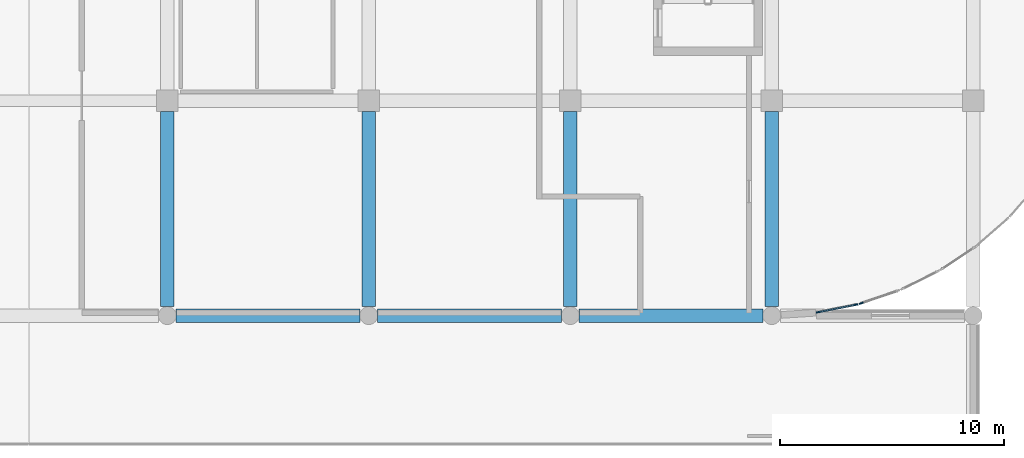
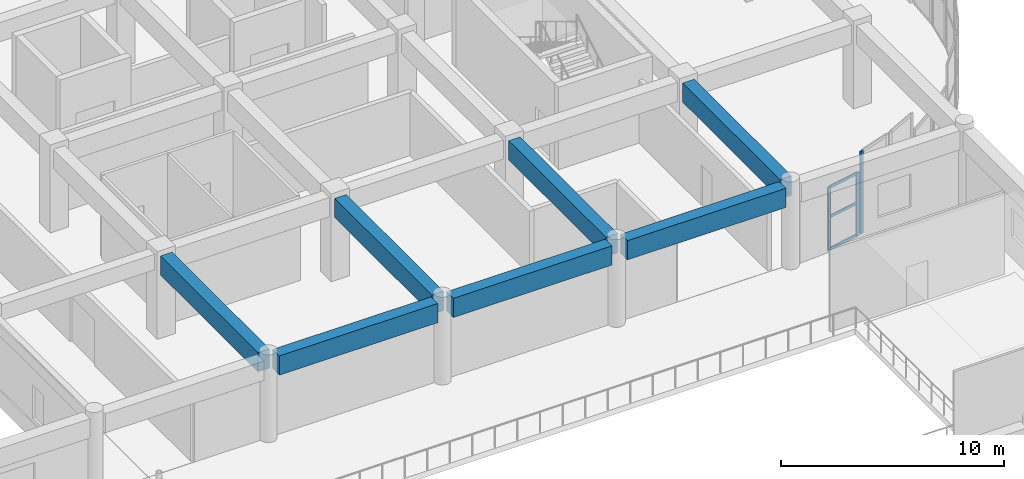
# One storey, part 36 of 86: 7 beams, 6 members, 2 elements without a shape of their own.
"""IFC4 building model written with IfcOpenShell, lengths in metres."""

from ifc_helpers import new_model, si_unit, direction, frame, origin, origin_2d, place, context, subcontext, project, spatial, rectangle, extrude, material, layer, layer_set, material_profile, profile_set, type_object, element, aggregate, save


model = new_model("IFC4")

# Units and contexts
model_context = context("Model", 3, precision=1e-05, world=origin(), true_north=direction((0.0, 1.0)))
body_context = subcontext(model_context, "Body", "Model", "MODEL_VIEW")
ifc_project = project(units=[si_unit("LENGTHUNIT", "METRE"), si_unit("AREAUNIT", "SQUARE_METRE"), si_unit("VOLUMEUNIT", "CUBIC_METRE"), si_unit("PLANEANGLEUNIT", "RADIAN"), si_unit("MASSUNIT", "GRAM", prefix="KILO")], contexts=[model_context])

# Site, building, storey
site_placement = place(None, origin())
site = spatial("IfcSite", under=ifc_project, at=site_placement, CompositionType="ELEMENT")
building_placement = place(site_placement, origin())
building = spatial("IfcBuilding", under=site, at=building_placement, Name="Cendralis Terraced Arcade", CompositionType="ELEMENT")
storey_placement = place(building_placement, frame((0.0, 0.0, 5.39990234375)))
storey = spatial("IfcBuildingStorey", under=building, at=storey_placement, Name="L01", CompositionType="ELEMENT", Elevation=5.39990234375)

# Beams
ifc_material_1 = material(Name="Concrete f'c 35 MPa", Category="concrete")
ifc_material_profile_1 = material_profile(ifc_material_1, rectangle(XDim=0.60009765625, YDim=1.050048828125, at=origin_2d()), Name="RC-BM-600x1050", Category="LoadBearing")
ifc_profile_set_1 = profile_set([ifc_material_profile_1], Name="Concrete f'c 35 MPa")
beam_type = type_object("IfcBeamType", Name="BM-600x1050", PredefinedType="JOIST", material=ifc_profile_set_1)
for number, where, z_axis, x_axis, name in (
    (1, (130.60009765625, 60.0, 3.97998046875), (1.0, 0.0, 0.0), (0.0, 1.0, 0.0), "Reinforced Concrete Frame Beam BM-X-L02-G-15_16"),
    (2, (139.60009765625, 60.0, 3.97998046875), (1.0, 0.0, 0.0), (0.0, 1.0, 0.0), "Reinforced Concrete Frame Beam BM-X-L02-G-16_17"),
    (3, (148.60009765625, 60.0, 3.97998046875), (1.0, 0.0, 0.0), (0.0, 1.0, 0.0), "Reinforced Concrete Frame Beam BM-X-L02-G-17_18"),
):
    element("IfcBeam", number, at=place(storey_placement, frame(where, z_axis=z_axis, x_axis=x_axis)), inside=storey, type_object=beam_type, Name=name, PredefinedType="JOIST", context=body_context, shape_type="SweptSolid", body=[
        extrude(rectangle(XDim=0.60009765625, YDim=1.050048828125, at=origin_2d()), origin(), (0.0, 0.0, 1.0), 8.199951171875),
    ])
for number, where, z_axis, x_axis, name in (
    (4, (130.199951171875, 60.39990234375, 3.97998046875), (0.0, 1.0, 0.0), (-1.0, 0.0, 0.0), "Reinforced Concrete Frame Beam BM-Y-L02-15-G_H"),
    (5, (139.199951171875, 60.39990234375, 3.97998046875), (0.0, 1.0, 0.0), (-1.0, 0.0, 0.0), "Reinforced Concrete Frame Beam BM-Y-L02-16-G_H"),
    (6, (148.199951171875, 60.39990234375, 3.97998046875), (0.0, 1.0, 0.0), (-1.0, 0.0, 0.0), "Reinforced Concrete Frame Beam BM-Y-L02-17-G_H"),
    (7, (157.199951171875, 60.39990234375, 3.97998046875), (0.0, 1.0, 0.0), (-1.0, 0.0, 0.0), "Reinforced Concrete Frame Beam BM-Y-L02-18-G_H"),
):
    element("IfcBeam", number, at=place(storey_placement, frame(where, z_axis=z_axis, x_axis=x_axis)), inside=storey, type_object=beam_type, Name=name, PredefinedType="JOIST", context=body_context, shape_type="SweptSolid", body=[
        extrude(rectangle(XDim=0.60009765625, YDim=1.050048828125, at=origin_2d()), origin(), (0.0, 0.0, 1.0), 8.72509765625),
    ])

# Curtain wall, member
ifc_material_2 = material(Name="Anodised aluminium EN AW-6063 T6", Category="aluminium")
ifc_layer = layer(ifc_material_2, 0.179931640625, Name="CW-UNIT-A")
ifc_layer_set = layer_set([ifc_layer], Name="Anodised aluminium EN AW-6063 T6")
curtain_wall_type = type_object("IfcCurtainWallType", Name="CW-UNIT-A", PredefinedType="USERDEFINED", material=ifc_layer_set)
curtain_wall_1_placement = place(storey_placement, origin())
curtain_wall_1 = element("IfcCurtainWall", 8, at=curtain_wall_1_placement, inside=storey, type_object=curtain_wall_type, Name="Exterior Unitised Facade CW-L01-0075", ObjectType="UNITISED FACADE", PredefinedType="USERDEFINED")
ifc_material_profile_2 = material_profile(ifc_material_2, rectangle(XDim=0.06494140625, YDim=0.179931640625, at=origin_2d()), Name="ALU-MUL-65x180")
ifc_profile_set_2 = profile_set([ifc_material_profile_2], Name="Anodised aluminium EN AW-6063 T6")
member_type_1 = type_object("IfcMemberType", Name="CW-UNIT-A-MUL", PredefinedType="MULLION", material=ifc_profile_set_2)
member_1_placement = place(storey_placement, frame((161.1982421875, 60.550537109375, 0.0), z_axis=(0.0, 0.0, 1.0), x_axis=(0.321458077458, -0.946923811316, 0.0)))
member_1 = element("IfcMember", 9, at=member_1_placement, type_object=member_type_1, Name="CW-U1 mullion 2", PredefinedType="MULLION", context=body_context, shape_type="SweptSolid", body=[
    extrude(rectangle(XDim=0.06494140625, YDim=0.179931640625, at=origin_2d()), origin(), (0.0, 0.0, 1.0), 4.505126953125),
])
aggregate(curtain_wall_1, [member_1])

# Curtain wall, members
curtain_wall_2_placement = place(storey_placement, origin())
curtain_wall_2 = element("IfcCurtainWall", 10, at=curtain_wall_2_placement, inside=storey, type_object=curtain_wall_type, Name="Exterior Unitised Facade CW-L01-0076", ObjectType="UNITISED FACADE", PredefinedType="USERDEFINED")
member_2_placement = place(storey_placement, frame((160.962158203125, 60.487060546875, 0.0), z_axis=(0.0, 0.0, 1.0), x_axis=(0.195058454434, -0.980791618721, 0.0)))
member_2 = element("IfcMember", 11, at=member_2_placement, type_object=member_type_1, Name="CW-U1 mullion 1", PredefinedType="MULLION", context=body_context, shape_type="SweptSolid", body=[
    extrude(rectangle(XDim=0.06494140625, YDim=0.179931640625, at=origin_2d()), origin(), (0.0, 0.0, 1.0), 3.445068359375),
])
member_3_placement = place(storey_placement, frame((159.278076171875, 60.15234375, 0.0), z_axis=(0.0, 0.0, 1.0), x_axis=(0.195058454434, -0.980791618721, 0.0)))
member_3 = element("IfcMember", 12, at=member_3_placement, type_object=member_type_1, Name="CW-U1 mullion 2", PredefinedType="MULLION", context=body_context, shape_type="SweptSolid", body=[
    extrude(rectangle(XDim=0.06494140625, YDim=0.179931640625, at=origin_2d()), origin(), (0.0, 0.0, 1.0), 3.445068359375),
])
ifc_material_profile_3 = material_profile(ifc_material_2, rectangle(XDim=0.06494140625, YDim=0.14990234375, at=origin_2d()), Name="ALU-TRN-65x150")
ifc_profile_set_3 = profile_set([ifc_material_profile_3], Name="Anodised aluminium EN AW-6063 T6")
member_type_2 = type_object("IfcMemberType", Name="CW-UNIT-A-TRN", PredefinedType="USERDEFINED", material=ifc_profile_set_3)
member_4_placement = place(storey_placement, frame((160.93017578125, 60.480712890625, 0.03271484375), z_axis=(-0.980813055353, -0.194950635927, 0.0), x_axis=(0.194950635927, -0.980813055353, 0.0)))
member_4 = element("IfcMember", 13, at=member_4_placement, type_object=member_type_2, Name="CW-U1 transom 1.1", ObjectType="TRANSOM", PredefinedType="USERDEFINED", context=body_context, shape_type="SweptSolid", body=[
    extrude(rectangle(XDim=0.06494140625, YDim=0.14990234375, at=origin_2d()), origin(), (0.0, 0.0, 1.0), 1.65185546875),
])
member_5_placement = place(storey_placement, frame((160.93017578125, 60.480712890625, 1.79150390625), z_axis=(-0.980813055353, -0.194950635927, 0.0), x_axis=(0.194950635927, -0.980813055353, 0.0)))
member_5 = element("IfcMember", 14, at=member_5_placement, type_object=member_type_2, Name="CW-U1 transom 1.2", ObjectType="TRANSOM", PredefinedType="USERDEFINED", context=body_context, shape_type="SweptSolid", body=[
    extrude(rectangle(XDim=0.06494140625, YDim=0.14990234375, at=origin_2d()), origin(), (0.0, 0.0, 1.0), 1.65185546875),
])
member_6_placement = place(storey_placement, frame((160.93017578125, 60.480712890625, 3.41259765625), z_axis=(-0.980813055353, -0.194950635927, 0.0), x_axis=(0.194950635927, -0.980813055353, 0.0)))
member_6 = element("IfcMember", 15, at=member_6_placement, type_object=member_type_2, Name="CW-U1 transom 1.3", ObjectType="TRANSOM", PredefinedType="USERDEFINED", context=body_context, shape_type="SweptSolid", body=[
    extrude(rectangle(XDim=0.06494140625, YDim=0.14990234375, at=origin_2d()), origin(), (0.0, 0.0, 1.0), 1.65185546875),
])
aggregate(curtain_wall_2, [member_2, member_3, member_4, member_5, member_6])

save(model, "model.ifc")
